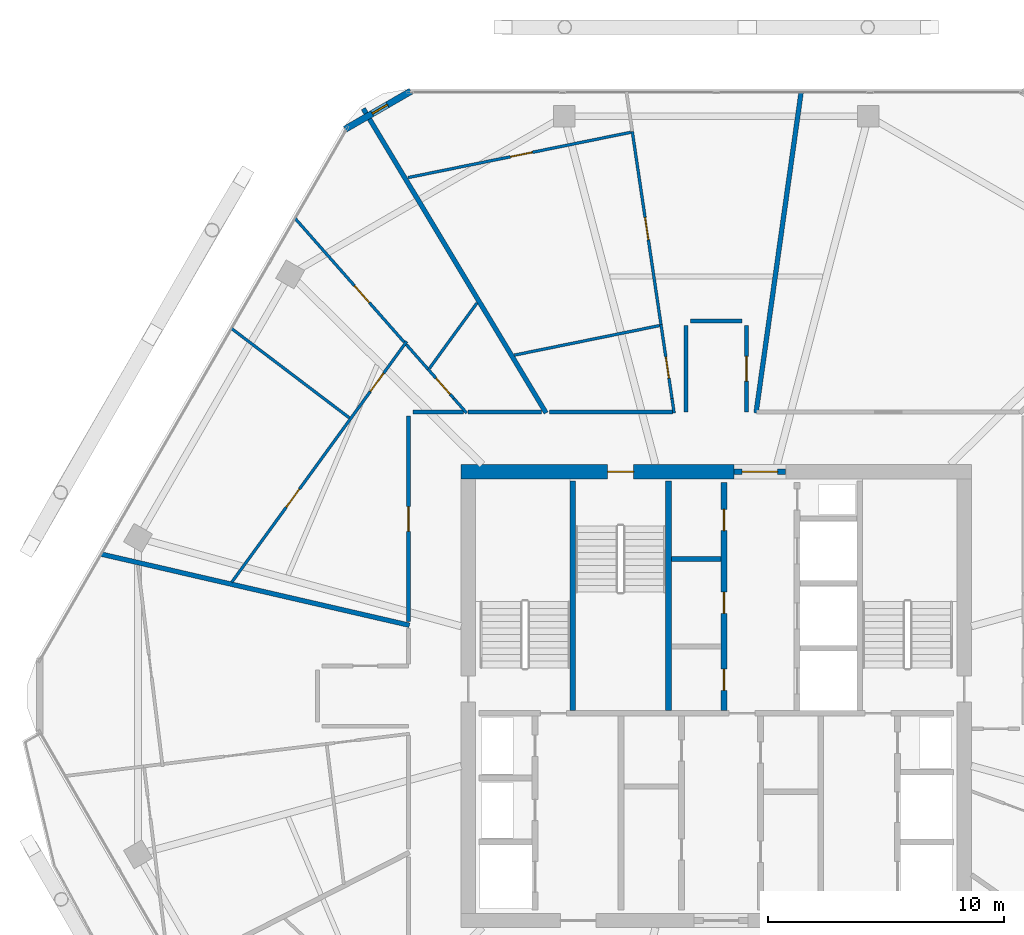
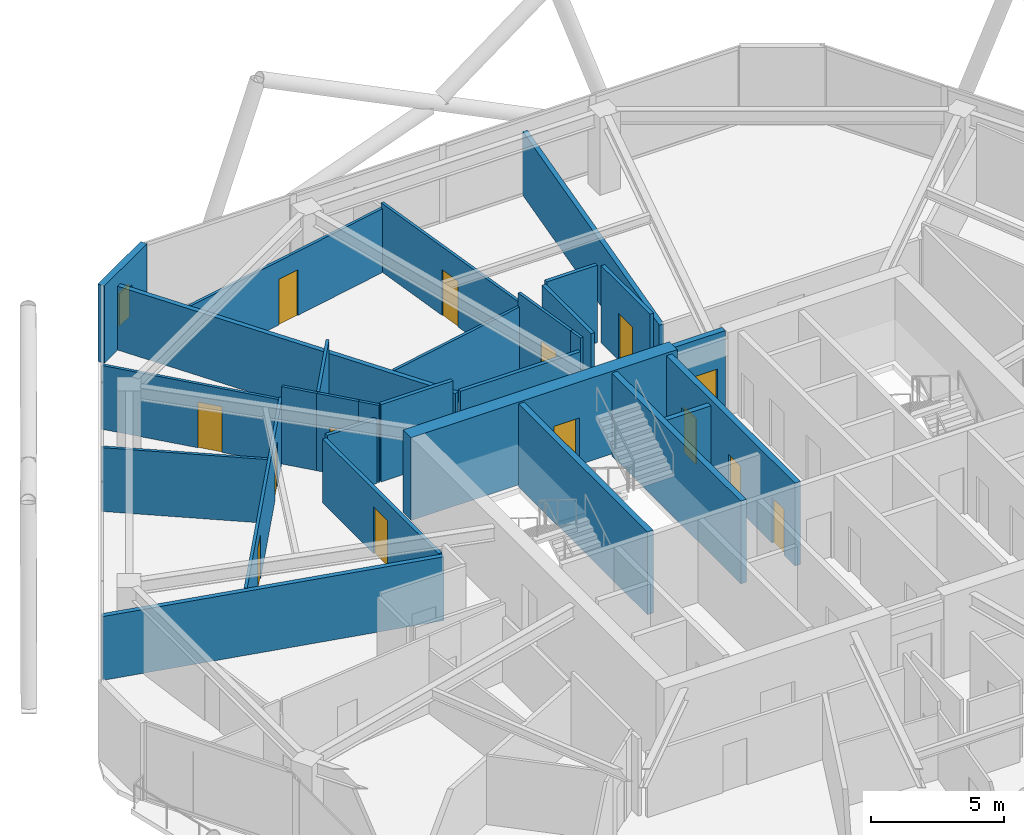
# One storey, part 23 of 27: 29 walls, 14 doors, 1 window, 15 openings.
"""IFC4 building model written with IfcOpenShell, lengths in metres."""

from ifc_helpers import new_model, si_unit, direction, frame, frame_2d, origin, place, context, subcontext, project, spatial, rectangle, extrude, material, layer, layer_set, type_object, element, fill, save


model = new_model("IFC4")

# Units and contexts
model_context = context("Model", 3, precision=1e-05, world=origin(), true_north=direction((0.0, 1.0)))
body_context = subcontext(model_context, "Body", "Model", "MODEL_VIEW")
ifc_project = project(units=[si_unit("LENGTHUNIT", "METRE"), si_unit("AREAUNIT", "SQUARE_METRE"), si_unit("VOLUMEUNIT", "CUBIC_METRE"), si_unit("PLANEANGLEUNIT", "RADIAN"), si_unit("MASSUNIT", "GRAM", prefix="KILO")], contexts=[model_context])

# Site, building, storey
site_placement = place(None, origin())
site = spatial("IfcSite", under=ifc_project, at=site_placement, CompositionType="ELEMENT")
building_placement = place(site_placement, origin())
building = spatial("IfcBuilding", under=site, at=building_placement, Name="Zuhravey Tower", CompositionType="ELEMENT")
storey_placement = place(building_placement, frame((0.0, 0.0, 261.60009765625)))
storey = spatial("IfcBuildingStorey", under=building, at=storey_placement, Name="L66", CompositionType="ELEMENT", Elevation=261.60009765625)

# Wall, opening, door
ifc_material_1 = material(Name="Concrete C50/60", Category="concrete")
ifc_layer_1 = layer(ifc_material_1, 0.60009765625)
ifc_layer_set_1 = layer_set([ifc_layer_1], Name="Concrete C50/60")
wall_type_1 = type_object("IfcWallType", Name="Core Shear Wall 600", PredefinedType="SHEAR", material=ifc_layer_set_1)
wall_1_placement = place(storey_placement, frame((36.75, 41.5, 0.0), z_axis=(0.0, 0.0, 1.0), x_axis=(-1.0, 0.0, 0.0)))
wall_1 = element("IfcWall", 1, at=wall_1_placement, inside=storey, type_object=wall_type_1, Name="L66 North-West Core Shear Wall CW60", PredefinedType="SHEAR", context=body_context, shape_type="SweptSolid", body=[
    extrude(rectangle(XDim=11.550048828125, YDim=0.60009765625, at=frame_2d((5.77490234375, 0.0))), origin(), (0.0, 0.0, 1.0), 3.7998046875),
])
opening_1_placement = place(wall_1_placement, frame((4.25, 0.0, 0.0)))
opening_1 = element("IfcOpeningElement", 2, at=opening_1_placement, cuts=wall_1, Name="Opening STD1", PredefinedType="OPENING", context=body_context, shape_type="SweptSolid", body=[
    extrude(rectangle(XDim=1.10009765625, YDim=2.14990234375, at=frame_2d((0.550048828125, 1.074951171875))), frame((0.0, 0.31201171875, 0.0), z_axis=(0.0, -1.0, 0.0), x_axis=(1.0, 0.0, 0.0)), (0.0, 0.0, 1.0), 0.6240234375),
])
ifc_material_2 = material(Name="Galvanised fire-rated steel leaf", Category="steel")
door_type_1 = type_object("IfcDoorType", Name="Protected Stair Fire Door 1100x2150", OperationType="NOTDEFINED", PredefinedType="USERDEFINED", material=ifc_material_2)
door_1_placement = place(opening_1_placement, origin())
door_1 = element("IfcDoor", 3, at=door_1_placement, inside=storey, type_object=door_type_1, Name="L66 Stair ST3 Door", ObjectType="EXITDOOR", OperationType="SINGLE_SWING_LEFT", OverallHeight=2.14990234375, OverallWidth=1.10009765625, PredefinedType="USERDEFINED", context=body_context, shape_type="SweptSolid", body=[
    extrude(rectangle(XDim=1.10009765625, YDim=2.14990234375, at=frame_2d((0.550048828125, 1.074951171875))), frame((0.0, 0.02490234375, 0.0), z_axis=(0.0, -1.0, 0.0), x_axis=(1.0, 0.0, 0.0)), (0.0, 0.0, 1.0), 0.050048828125),
])
fill(opening_1, door_1)

ifc_material_3 = material(Name="Gypsum fire-rated stud partition")
ifc_layer_2 = layer(ifc_material_3, 0.159912109375)
ifc_layer_set_2 = layer_set([ifc_layer_2], Name="Gypsum fire-rated stud partition")
wall_type_2 = type_object("IfcWallType", Name="Corridor Fire Partition 160", PredefinedType="PARTITIONING", material=ifc_layer_set_2)
wall_2_placement = place(storey_placement, frame((22.969970703125, 43.85009765625, 0.0), z_axis=(0.0, 0.0, 1.0), x_axis=(0.0, -1.0, 0.0)))
wall_2 = element("IfcWall", 4, at=wall_2_placement, inside=storey, type_object=wall_type_2, Name="L66 IW16 Partition 024", PredefinedType="PARTITIONING", context=body_context, shape_type="SweptSolid", body=[
    extrude(rectangle(XDim=8.701416015625, YDim=0.159912109375, at=frame_2d((4.3505859375, 0.0))), origin(), (0.0, 0.0, 1.0), 2.949951171875),
])
opening_2_placement = place(wall_2_placement, frame((3.82568359375, 0.0, 0.0)))
opening_2 = element("IfcOpeningElement", 5, at=opening_2_placement, cuts=wall_2, Name="Opening APD1", PredefinedType="OPENING", context=body_context, shape_type="SweptSolid", body=[
    extrude(rectangle(XDim=1.050048828125, YDim=2.14990234375, at=frame_2d((0.52490234375, 1.074951171875))), frame((0.0, 0.092041015625, 0.0), z_axis=(0.0, -1.0, 0.0), x_axis=(1.0, 0.0, 0.0)), (0.0, 0.0, 1.0), 0.183837890625),
])
ifc_material_4 = material(Name="Solid-core oak fire-rated leaf")
door_type_2 = type_object("IfcDoorType", Name="Apartment Entrance Fire Door 1050x2150", OperationType="NOTDEFINED", PredefinedType="DOOR", material=ifc_material_4)
door_2_placement = place(opening_2_placement, frame((1.050048828125, 0.0, 0.0), z_axis=(0.0, 0.0, 1.0), x_axis=(-1.0, 0.0, 0.0)))
door_2 = element("IfcDoor", 6, at=door_2_placement, inside=storey, type_object=door_type_2, Name="L66 Door 024.1", OperationType="SINGLE_SWING_RIGHT", OverallHeight=2.14990234375, OverallWidth=1.050048828125, PredefinedType="DOOR", context=body_context, shape_type="SweptSolid", body=[
    extrude(rectangle(XDim=1.050048828125, YDim=2.14990234375, at=frame_2d((0.52490234375, 1.074951171875))), frame((0.0, 0.02490234375, 0.0), z_axis=(0.0, -1.0, 0.0), x_axis=(1.0, 0.0, 0.0)), (0.0, 0.0, 1.0), 0.050048828125),
])
fill(opening_2, door_2)

wall_3_placement = place(storey_placement, frame((37.280029296875, 44.030029296875, 0.0), z_axis=(0.0, 0.0, 1.0), x_axis=(0.0, 1.0, 0.0)))
wall_3 = element("IfcWall", 7, at=wall_3_placement, inside=storey, type_object=wall_type_2, Name="L66 IW16 Partition 060", PredefinedType="PARTITIONING", context=body_context, shape_type="SweptSolid", body=[
    extrude(rectangle(XDim=3.669921875, YDim=0.159912109375, at=frame_2d((1.8349609375, 0.0))), origin(), (0.0, 0.0, 1.0), 3.5498046875),
])
opening_3_placement = place(wall_3_placement, frame((1.31005859375, 0.0, 0.0)))
opening_3 = element("IfcOpeningElement", 8, at=opening_3_placement, cuts=wall_3, Name="Opening APD1", PredefinedType="OPENING", context=body_context, shape_type="SweptSolid", body=[
    extrude(rectangle(XDim=1.050048828125, YDim=2.14990234375, at=frame_2d((0.52490234375, 1.074951171875))), frame((0.0, 0.092041015625, 0.0), z_axis=(0.0, -1.0, 0.0), x_axis=(1.0, 0.0, 0.0)), (0.0, 0.0, 1.0), 0.183837890625),
])
door_3_placement = place(opening_3_placement, origin())
door_3 = element("IfcDoor", 9, at=door_3_placement, inside=storey, type_object=door_type_2, Name="L66 Door 060.1", OperationType="SINGLE_SWING_LEFT", OverallHeight=2.14990234375, OverallWidth=1.050048828125, PredefinedType="DOOR", context=body_context, shape_type="SweptSolid", body=[
    extrude(rectangle(XDim=1.050048828125, YDim=2.14990234375, at=frame_2d((0.52490234375, 1.074951171875))), frame((0.0, 0.02490234375, 0.0), z_axis=(0.0, -1.0, 0.0), x_axis=(1.0, 0.0, 0.0)), (0.0, 0.0, 1.0), 0.050048828125),
])
fill(opening_3, door_3)

# Walls
wall_4_placement = place(storey_placement, frame((25.303466796875, 44.030029296875, 0.0), z_axis=(0.0, 0.0, 1.0), x_axis=(-1.0, 0.0, 0.0)))
element("IfcWall", 10, at=wall_4_placement, inside=storey, type_object=wall_type_2, Name="L66 IW16 Partition 103", PredefinedType="PARTITIONING", context=body_context, shape_type="SweptSolid", body=[
    extrude(rectangle(XDim=2.153564453125, YDim=0.159912109375, at=frame_2d((1.07666015625, 0.0))), origin(), (0.0, 0.0, 1.0), 2.949951171875),
])
wall_5_placement = place(storey_placement, frame((28.6044921875, 44.030029296875, 0.0), z_axis=(0.0, 0.0, 1.0), x_axis=(-1.0, 0.0, 0.0)))
element("IfcWall", 11, at=wall_5_placement, inside=storey, type_object=wall_type_2, Name="L66 IW16 Partition 104", PredefinedType="PARTITIONING", context=body_context, shape_type="SweptSolid", body=[
    extrude(rectangle(XDim=3.11962890625, YDim=0.159912109375, at=frame_2d((1.559814453125, 0.0))), origin(), (0.0, 0.0, 1.0), 3.5498046875),
])
wall_6_placement = place(storey_placement, frame((34.719970703125, 47.699951171875, 0.0), z_axis=(0.0, 0.0, 1.0), x_axis=(0.0, -1.0, 0.0)))
element("IfcWall", 12, at=wall_6_placement, inside=storey, type_object=wall_type_2, Name="L66 IW16 Partition 120", PredefinedType="PARTITIONING", context=body_context, shape_type="SweptSolid", body=[
    extrude(rectangle(XDim=3.669921875, YDim=0.159912109375, at=frame_2d((1.8349609375, 0.0))), origin(), (0.0, 0.0, 1.0), 3.5498046875),
])
wall_7_placement = place(storey_placement, frame((37.10009765625, 47.8798828125, 0.0), z_axis=(0.0, 0.0, 1.0), x_axis=(-1.0, 0.0, 0.0)))
element("IfcWall", 13, at=wall_7_placement, inside=storey, type_object=wall_type_2, Name="L66 IW16 Partition 121", PredefinedType="PARTITIONING", context=body_context, shape_type="SweptSolid", body=[
    extrude(rectangle(XDim=2.2001953125, YDim=0.159912109375, at=frame_2d((1.10009765625, 0.0))), origin(), (0.0, 0.0, 1.0), 3.5498046875),
])
wall_8_placement = place(storey_placement, frame((34.141845703125, 44.030029296875, 0.0), z_axis=(0.0, 0.0, 1.0), x_axis=(-1.0, 0.0, 0.0)))
element("IfcWall", 14, at=wall_8_placement, inside=storey, type_object=wall_type_2, Name="L66 IW16 Partition 122", PredefinedType="PARTITIONING", context=body_context, shape_type="SweptSolid", body=[
    extrude(rectangle(XDim=5.204833984375, YDim=0.159912109375, at=frame_2d((2.6025390625, 0.0))), origin(), (0.0, 0.0, 1.0), 2.949951171875),
])

# Wall, opening, window
ifc_material_5 = material(Name="Precast concrete C40/50", Category="concrete")
ifc_layer_3 = layer(ifc_material_5, 0.280029296875)
ifc_layer_set_3 = layer_set([ifc_layer_3], Name="Precast concrete C40/50")
wall_type_3 = type_object("IfcWallType", Name="Crown Architectural Wall 280", PredefinedType="SOLIDWALL", material=ifc_layer_set_3)
wall_9_placement = place(storey_placement, frame((20.285400390625, 56.003662109375, 0.0), z_axis=(0.0, 0.0, 1.0), x_axis=(0.866028773314, 0.499994163758, 0.0)))
wall_9 = element("IfcWall", 15, at=wall_9_placement, inside=storey, type_object=wall_type_3, Name="L66 Rounded Corner Closure Wall EW28-08", PredefinedType="SOLIDWALL", context=body_context, shape_type="SweptSolid", body=[
    extrude(rectangle(XDim=3.21484375, YDim=0.280029296875, at=frame_2d((1.607421875, 0.0))), origin(), (0.0, 0.0, 1.0), 3.5498046875),
])
opening_4_placement = place(wall_9_placement, frame((1.324462890625, 0.0, 0.85009765625)))
opening_4 = element("IfcOpeningElement", 16, at=opening_4_placement, cuts=wall_9, Name="Opening WN5", PredefinedType="OPENING", context=body_context, shape_type="SweptSolid", body=[
    extrude(rectangle(XDim=0.75, YDim=1.5, at=frame_2d((0.375, 0.75))), frame((0.0, 0.152099609375, 0.0), z_axis=(0.0, -1.0, 0.0), x_axis=(1.0, 0.0, 0.0)), (0.0, 0.0, 1.0), 0.303955078125),
])
ifc_material_6 = material(Name="Thermally broken aluminium and triple low-E glass", Category="aluminium")
window_type = type_object("IfcWindowType", Name="Residential Corner Casement Window 750x1500", PartitioningType="SINGLE_PANEL", PredefinedType="WINDOW", material=ifc_material_6)
window_placement = place(opening_4_placement, origin())
window = element("IfcWindow", 17, at=window_placement, inside=storey, type_object=window_type, Name="L66 Corner Casement Window WN5-08.1", OverallHeight=1.5, OverallWidth=0.75, PartitioningType="SINGLE_PANEL", PredefinedType="WINDOW", context=body_context, shape_type="SweptSolid", body=[
    extrude(rectangle(XDim=0.75, YDim=1.5, at=frame_2d((0.375, 0.75))), frame((0.0, 0.030029296875, 0.0), z_axis=(0.0, -1.0, 0.0), x_axis=(1.0, 0.0, 0.0)), (0.0, 0.0, 1.0), 0.06005859375),
])
fill(opening_4, window)

# Wall, opening, door
ifc_layer_4 = layer(ifc_material_1, 0.25)
ifc_layer_set_4 = layer_set([ifc_layer_4], Name="Concrete C50/60")
wall_type_4 = type_object("IfcWallType", Name="Firefighting Shaft & Stair Wall 250", PredefinedType="SOLIDWALL", material=ifc_layer_set_4)
wall_10_placement = place(storey_placement, frame((36.760009765625, 41.5, 0.0), z_axis=(0.0, 0.0, 1.0), x_axis=(1.0, 0.0, 0.0)))
wall_10 = element("IfcWall", 18, at=wall_10_placement, inside=storey, type_object=wall_type_4, Name="L66 FW25 Shaft Wall 002", PredefinedType="SOLIDWALL", context=body_context, shape_type="SweptSolid", body=[
    extrude(rectangle(XDim=2.179931640625, YDim=0.25, at=frame_2d((1.08984375, 0.0))), origin(), (0.0, 0.0, 1.0), 3.7998046875),
])
opening_5_placement = place(wall_10_placement, frame((0.340087890625, 0.0, 0.0)))
opening_5 = element("IfcOpeningElement", 19, at=opening_5_placement, cuts=wall_10, Name="Opening FFD1", PredefinedType="OPENING", context=body_context, shape_type="SweptSolid", body=[
    extrude(rectangle(XDim=1.5, YDim=2.14990234375, at=frame_2d((0.75, 1.074951171875))), frame((0.0, 0.136962890625, 0.0), z_axis=(0.0, -1.0, 0.0), x_axis=(1.0, 0.0, 0.0)), (0.0, 0.0, 1.0), 0.27392578125),
])
door_type_3 = type_object("IfcDoorType", Name="Firefighting Lobby Double Door 1500x2150", OperationType="DOUBLE_DOOR_SINGLE_SWING", PredefinedType="DOOR", material=ifc_material_2)
door_4_placement = place(opening_5_placement, origin())
door_4 = element("IfcDoor", 20, at=door_4_placement, inside=storey, type_object=door_type_3, Name="L66 North Lift Lobby Exit Door", OperationType="DOUBLE_DOOR_SINGLE_SWING", OverallHeight=2.14990234375, OverallWidth=1.5, PredefinedType="DOOR", context=body_context, shape_type="SweptSolid", body=[
    extrude(rectangle(XDim=1.5, YDim=2.14990234375, at=frame_2d((0.75, 1.074951171875))), frame((0.0, 0.02490234375, 0.0), z_axis=(0.0, -1.0, 0.0), x_axis=(1.0, 0.0, 0.0)), (0.0, 0.0, 1.0), 0.050048828125),
])
fill(opening_5, door_4)

# Walls
for number, where, z_axis, x_axis, name in (
    (21, (29.925048828125, 31.39990234375, 0.0), (0.0, 0.0, 1.0), (0.0, 1.0, 0.0), "L66 FW25 Shaft Wall 004"),
    (22, (33.97509765625, 31.39990234375, 0.0), (0.0, 0.0, 1.0), (0.0, 1.0, 0.0), "L66 FW25 Shaft Wall 005"),
):
    element("IfcWall", number, at=place(storey_placement, frame(where, z_axis=z_axis, x_axis=x_axis)), inside=storey, type_object=wall_type_4, Name=name, PredefinedType="SOLIDWALL", context=body_context, shape_type="SweptSolid", body=[
        extrude(rectangle(XDim=9.7001953125, YDim=0.25, at=frame_2d((4.85009765625, 0.0))), origin(), (0.0, 0.0, 1.0), 3.7998046875),
    ])

# Wall, openings, doors
wall_11_placement = place(storey_placement, frame((36.324951171875, 31.39990234375, 0.0), z_axis=(0.0, 0.0, 1.0), x_axis=(0.0, 1.0, 0.0)))
wall_11 = element("IfcWall", 23, at=wall_11_placement, inside=storey, type_object=wall_type_4, Name="L66 FW25 Shaft Wall 007", PredefinedType="SOLIDWALL", context=body_context, shape_type="SweptSolid", body=[
    extrude(rectangle(XDim=9.650146484375, YDim=0.25, at=frame_2d((4.8251953125, 0.0))), origin(), (0.0, 0.0, 1.0), 3.7998046875),
])
opening_6_placement = place(wall_11_placement, frame((0.840087890625, 0.0, 0.0)))
opening_6 = element("IfcOpeningElement", 24, at=opening_6_placement, cuts=wall_11, Name="Opening RSD1", PredefinedType="OPENING", context=body_context, shape_type="SweptSolid", body=[
    extrude(rectangle(XDim=0.89990234375, YDim=2.10009765625, at=frame_2d((0.449951171875, 1.050048828125))), frame((0.0, 0.136962890625, 0.0), z_axis=(0.0, -1.0, 0.0), x_axis=(1.0, 0.0, 0.0)), (0.0, 0.0, 1.0), 0.27392578125),
])
opening_7_placement = place(wall_11_placement, frame((4.10009765625, 0.0, 0.0)))
opening_7 = element("IfcOpeningElement", 25, at=opening_7_placement, cuts=wall_11, Name="Opening RSD1", PredefinedType="OPENING", context=body_context, shape_type="SweptSolid", body=[
    extrude(rectangle(XDim=0.89990234375, YDim=2.10009765625, at=frame_2d((0.449951171875, 1.050048828125))), frame((0.0, 0.136962890625, 0.0), z_axis=(0.0, -1.0, 0.0), x_axis=(1.0, 0.0, 0.0)), (0.0, 0.0, 1.0), 0.27392578125),
])
opening_8_placement = place(wall_11_placement, frame((7.610107421875, 0.0, 0.0)))
opening_8 = element("IfcOpeningElement", 26, at=opening_8_placement, cuts=wall_11, Name="Opening RSD1", PredefinedType="OPENING", context=body_context, shape_type="SweptSolid", body=[
    extrude(rectangle(XDim=0.89990234375, YDim=2.10009765625, at=frame_2d((0.449951171875, 1.050048828125))), frame((0.0, 0.136962890625, 0.0), z_axis=(0.0, -1.0, 0.0), x_axis=(1.0, 0.0, 0.0)), (0.0, 0.0, 1.0), 0.27392578125),
])
ifc_material_7 = material(Name="Galvanised fire-rated steel access leaf", Category="steel")
door_type_4 = type_object("IfcDoorType", Name="Riser & Shaft Access Fire Door 900x2100", OperationType="NOTDEFINED", PredefinedType="DOOR", material=ifc_material_7)
door_5_placement = place(opening_6_placement, origin())
door_5 = element("IfcDoor", 27, at=door_5_placement, inside=storey, type_object=door_type_4, Name="L66 Core Staff WC Door", OperationType="SINGLE_SWING_LEFT", OverallHeight=2.10009765625, OverallWidth=0.89990234375, PredefinedType="DOOR", context=body_context, shape_type="SweptSolid", body=[
    extrude(rectangle(XDim=0.89990234375, YDim=2.10009765625, at=frame_2d((0.449951171875, 1.050048828125))), frame((0.0, 0.02490234375, 0.0), z_axis=(0.0, -1.0, 0.0), x_axis=(1.0, 0.0, 0.0)), (0.0, 0.0, 1.0), 0.050048828125),
])
fill(opening_6, door_5)
door_6_placement = place(opening_7_placement, origin())
door_6 = element("IfcDoor", 28, at=door_6_placement, inside=storey, type_object=door_type_4, Name="L66 IT and Comms Room Door", OperationType="SINGLE_SWING_RIGHT", OverallHeight=2.10009765625, OverallWidth=0.89990234375, PredefinedType="DOOR", context=body_context, shape_type="SweptSolid", body=[
    extrude(rectangle(XDim=0.89990234375, YDim=2.10009765625, at=frame_2d((0.449951171875, 1.050048828125))), frame((0.0, 0.02490234375, 0.0), z_axis=(0.0, -1.0, 0.0), x_axis=(1.0, 0.0, 0.0)), (0.0, 0.0, 1.0), 0.050048828125),
])
fill(opening_7, door_6)
door_7_placement = place(opening_8_placement, origin())
door_7 = element("IfcDoor", 29, at=door_7_placement, inside=storey, type_object=door_type_4, Name="L66 Janitor Linen Store Door", OperationType="SINGLE_SWING_LEFT", OverallHeight=2.10009765625, OverallWidth=0.89990234375, PredefinedType="DOOR", context=body_context, shape_type="SweptSolid", body=[
    extrude(rectangle(XDim=0.89990234375, YDim=2.10009765625, at=frame_2d((0.449951171875, 1.050048828125))), frame((0.0, 0.02490234375, 0.0), z_axis=(0.0, -1.0, 0.0), x_axis=(1.0, 0.0, 0.0)), (0.0, 0.0, 1.0), 0.050048828125),
])
fill(opening_8, door_7)

# Walls
ifc_material_8 = material(Name="Gypsum double-stud party assembly")
ifc_layer_5 = layer(ifc_material_8, 0.199951171875)
ifc_layer_set_5 = layer_set([ifc_layer_5], Name="Gypsum double-stud party assembly")
wall_type_5 = type_object("IfcWallType", Name="Inter-Tenancy Party Wall 200", PredefinedType="PARTITIONING", material=ifc_layer_set_5)
wall_12_placement = place(storey_placement, frame((28.795654296875, 43.989990234375, 0.0), z_axis=(0.0, 0.0, 1.0), x_axis=(-0.515040294727, 0.857165966898, 0.0)))
element("IfcWall", 30, at=wall_12_placement, inside=storey, type_object=wall_type_5, Name="L66 IW20 Partition 067", PredefinedType="PARTITIONING", context=body_context, shape_type="SweptSolid", body=[
    extrude(rectangle(XDim=15.02978515625, YDim=0.199951171875, at=frame_2d((7.514892578125, 0.0))), origin(), (0.0, 0.0, 1.0), 2.929931640625),
])
wall_13_placement = place(storey_placement, frame((23.010009765625, 34.9990234375, 0.0), z_axis=(0.0, 0.0, 1.0), x_axis=(-0.974372460803, 0.224940675799, 0.0)))
element("IfcWall", 31, at=wall_13_placement, inside=storey, type_object=wall_type_5, Name="L66 IW20 Partition 071", PredefinedType="PARTITIONING", context=body_context, shape_type="SweptSolid", body=[
    extrude(rectangle(XDim=13.39990234375, YDim=0.199951171875, at=frame_2d((6.699951171875, 0.0))), origin(), (0.0, 0.0, 1.0), 2.929931640625),
])
wall_14_placement = place(storey_placement, frame((37.68505859375, 43.989990234375, 0.0), z_axis=(0.0, 0.0, 1.0), x_axis=(0.139176780606, 0.990267551594, 0.0)))
element("IfcWall", 32, at=wall_14_placement, inside=storey, type_object=wall_type_5, Name="L66 IW20 Partition 099", PredefinedType="PARTITIONING", context=body_context, shape_type="SweptSolid", body=[
    extrude(rectangle(XDim=13.70703125, YDim=0.199951171875, at=frame_2d((6.853515625, 0.0))), origin(), (0.0, 0.0, 1.0), 2.929931640625),
])
ifc_material_9 = material(Name="Gypsum acoustic stud assembly")
ifc_layer_6 = layer(ifc_material_9, 0.219970703125)
ifc_layer_set_6 = layer_set([ifc_layer_6], Name="Gypsum acoustic stud assembly")
wall_type_6 = type_object("IfcWallType", Name="School Acoustic Compartment Wall 220", PredefinedType="PARTITIONING", material=ifc_layer_set_6)
wall_15_placement = place(storey_placement, frame((34.10791015625, 37.800048828125, 0.0), z_axis=(0.0, 0.0, 1.0), x_axis=(1.0, 0.0, 0.0)))
element("IfcWall", 33, at=wall_15_placement, inside=storey, type_object=wall_type_6, Name="L66 IW22 Partition 062", PredefinedType="PARTITIONING", context=body_context, shape_type="SweptSolid", body=[
    extrude(rectangle(XDim=2.083984375, YDim=0.219970703125, at=frame_2d((1.0419921875, 0.0))), origin(), (0.0, 0.0, 1.0), 3.5498046875),
])

# Wall, openings, doors
ifc_material_10 = material(Name="Gypsum metal-stud partition")
ifc_layer_7 = layer(ifc_material_10, 0.1201171875)
ifc_layer_set_7 = layer_set([ifc_layer_7], Name="Gypsum metal-stud partition")
wall_type_7 = type_object("IfcWallType", Name="Unit Internal Partition 120", PredefinedType="PARTITIONING", material=ifc_layer_set_7)
wall_16_placement = place(storey_placement, frame((22.892822265625, 47.018310546875, 0.0), z_axis=(0.0, 0.0, 1.0), x_axis=(-0.587777700705, -0.80902248087, 0.0)))
wall_16 = element("IfcWall", 34, at=wall_16_placement, inside=storey, type_object=wall_type_7, Name="L66 IW12 Partition 020", PredefinedType="PARTITIONING", context=body_context, shape_type="SweptSolid", body=[
    extrude(rectangle(XDim=12.60302734375, YDim=0.1201171875, at=frame_2d((6.301513671875, 0.0))), origin(), (0.0, 0.0, 1.0), 2.949951171875),
])
opening_9_placement = place(wall_16_placement, frame((1.66845703125, 0.0, 0.0)))
opening_9 = element("IfcOpeningElement", 35, at=opening_9_placement, cuts=wall_16, Name="Opening IND1", PredefinedType="OPENING", context=body_context, shape_type="SweptSolid", body=[
    extrude(rectangle(XDim=0.949951171875, YDim=2.10009765625, at=frame_2d((0.47509765625, 1.050048828125))), frame((0.0, 0.072021484375, 0.0), z_axis=(0.0, -1.0, 0.0), x_axis=(1.0, 0.0, 0.0)), (0.0, 0.0, 1.0), 0.14404296875),
])
opening_10_placement = place(wall_16_placement, frame((7.72998046875, 0.0, 0.0)))
opening_10 = element("IfcOpeningElement", 36, at=opening_10_placement, cuts=wall_16, Name="Opening IND1", PredefinedType="OPENING", context=body_context, shape_type="SweptSolid", body=[
    extrude(rectangle(XDim=0.949951171875, YDim=2.10009765625, at=frame_2d((0.47509765625, 1.050048828125))), frame((0.0, 0.072021484375, 0.0), z_axis=(0.0, -1.0, 0.0), x_axis=(1.0, 0.0, 0.0)), (0.0, 0.0, 1.0), 0.14404296875),
])
ifc_material_11 = material(Name="Painted engineered timber leaf", Category="wood")
door_type_5 = type_object("IfcDoorType", Name="Internal Room & Bedroom Door 950x2100", OperationType="NOTDEFINED", PredefinedType="DOOR", material=ifc_material_11)
door_8_placement = place(opening_9_placement, frame((0.949951171875, 0.0, 0.0), z_axis=(0.0, 0.0, 1.0), x_axis=(-1.0, 0.0, 0.0)))
door_8 = element("IfcDoor", 37, at=door_8_placement, inside=storey, type_object=door_type_5, Name="Apartment L66-01 Family Study Door", OperationType="SINGLE_SWING_RIGHT", OverallHeight=2.10009765625, OverallWidth=0.949951171875, PredefinedType="DOOR", context=body_context, shape_type="SweptSolid", body=[
    extrude(rectangle(XDim=0.949951171875, YDim=2.10009765625, at=frame_2d((0.47509765625, 1.050048828125))), frame((0.0, 0.02490234375, 0.0), z_axis=(0.0, -1.0, 0.0), x_axis=(1.0, 0.0, 0.0)), (0.0, 0.0, 1.0), 0.050048828125),
])
fill(opening_9, door_8)
door_9_placement = place(opening_10_placement, frame((0.949951171875, 0.0, 0.0), z_axis=(0.0, 0.0, 1.0), x_axis=(-1.0, 0.0, 0.0)))
door_9 = element("IfcDoor", 38, at=door_9_placement, inside=storey, type_object=door_type_5, Name="Apartment L66-01 Dining Room Door", OperationType="SINGLE_SWING_LEFT", OverallHeight=2.10009765625, OverallWidth=0.949951171875, PredefinedType="DOOR", context=body_context, shape_type="SweptSolid", body=[
    extrude(rectangle(XDim=0.949951171875, YDim=2.10009765625, at=frame_2d((0.47509765625, 1.050048828125))), frame((0.0, 0.02490234375, 0.0), z_axis=(0.0, -1.0, 0.0), x_axis=(1.0, 0.0, 0.0)), (0.0, 0.0, 1.0), 0.050048828125),
])
fill(opening_10, door_9)

# Wall, opening, door
wall_17_placement = place(storey_placement, frame((24.8916015625, 44.60009765625, 0.0), z_axis=(0.0, 0.0, 1.0), x_axis=(-0.661313728026, 0.750109427433, 0.0)))
wall_17 = element("IfcWall", 39, at=wall_17_placement, inside=storey, type_object=wall_type_7, Name="L66 IW12 Partition 021", PredefinedType="PARTITIONING", context=body_context, shape_type="SweptSolid", body=[
    extrude(rectangle(XDim=1.65234375, YDim=0.1201171875, at=frame_2d((0.826171875, 0.0))), origin(), (0.0, 0.0, 1.0), 3.5498046875),
])
opening_11_placement = place(wall_17_placement, frame((0.244140625, 0.0, 0.0)))
opening_11 = element("IfcOpeningElement", 40, at=opening_11_placement, cuts=wall_17, Name="Opening WCD1", PredefinedType="OPENING", context=body_context, shape_type="SweptSolid", body=[
    extrude(rectangle(XDim=0.89990234375, YDim=2.10009765625, at=frame_2d((0.449951171875, 1.050048828125))), frame((0.0, 0.072021484375, 0.0), z_axis=(0.0, -1.0, 0.0), x_axis=(1.0, 0.0, 0.0)), (0.0, 0.0, 1.0), 0.14404296875),
])
ifc_material_12 = material(Name="Moisture-resistant timber leaf", Category="wood")
door_type_6 = type_object("IfcDoorType", Name="Bathroom & WC Internal Door 900x2100", OperationType="NOTDEFINED", PredefinedType="DOOR", material=ifc_material_12)
door_10_placement = place(opening_11_placement, frame((0.89990234375, 0.0, 0.0), z_axis=(0.0, 0.0, 1.0), x_axis=(-1.0, 0.0, 0.0)))
door_10 = element("IfcDoor", 41, at=door_10_placement, inside=storey, type_object=door_type_6, Name="Apartment L66-01 Bathroom Door", OperationType="SINGLE_SWING_RIGHT", OverallHeight=2.10009765625, OverallWidth=0.89990234375, PredefinedType="DOOR", context=body_context, shape_type="SweptSolid", body=[
    extrude(rectangle(XDim=0.89990234375, YDim=2.10009765625, at=frame_2d((0.449951171875, 1.050048828125))), frame((0.0, 0.02490234375, 0.0), z_axis=(0.0, -1.0, 0.0), x_axis=(1.0, 0.0, 0.0)), (0.0, 0.0, 1.0), 0.050048828125),
])
fill(opening_11, door_10)

# Wall
wall_18_placement = place(storey_placement, frame((23.798583984375, 45.839599609375, 0.0), z_axis=(0.0, 0.0, 1.0), x_axis=(-0.661308126209, 0.750114366087, 0.0)))
element("IfcWall", 42, at=wall_18_placement, inside=storey, type_object=wall_type_7, Name="L66 IW12 Partition 022", PredefinedType="PARTITIONING", context=body_context, shape_type="SweptSolid", body=[
    extrude(rectangle(XDim=1.39111328125, YDim=0.1201171875, at=frame_2d((0.695556640625, 0.0))), origin(), (0.0, 0.0, 1.0), 3.5498046875),
])

# Wall, opening, door
wall_19_placement = place(storey_placement, frame((22.78662109375, 46.987548828125, 0.0), z_axis=(0.0, 0.0, 1.0), x_axis=(-0.661313472819, 0.750109652429, 0.0)))
wall_19 = element("IfcWall", 43, at=wall_19_placement, inside=storey, type_object=wall_type_7, Name="L66 IW12 Partition 023", PredefinedType="PARTITIONING", context=body_context, shape_type="SweptSolid", body=[
    extrude(rectangle(XDim=6.997314453125, YDim=0.1201171875, at=frame_2d((3.49853515625, 0.0))), origin(), (0.0, 0.0, 1.0), 2.929931640625),
])
opening_12_placement = place(wall_19_placement, frame((2.23291015625, 0.0, 0.0)))
opening_12 = element("IfcOpeningElement", 44, at=opening_12_placement, cuts=wall_19, Name="Opening IND1", PredefinedType="OPENING", context=body_context, shape_type="SweptSolid", body=[
    extrude(rectangle(XDim=0.949951171875, YDim=2.10009765625, at=frame_2d((0.47509765625, 1.050048828125))), frame((0.0, 0.072021484375, 0.0), z_axis=(0.0, -1.0, 0.0), x_axis=(1.0, 0.0, 0.0)), (0.0, 0.0, 1.0), 0.14404296875),
])
door_11_placement = place(opening_12_placement, frame((0.949951171875, 0.0, 0.0), z_axis=(0.0, 0.0, 1.0), x_axis=(-1.0, 0.0, 0.0)))
door_11 = element("IfcDoor", 45, at=door_11_placement, inside=storey, type_object=door_type_5, Name="Apartment L66-01 Bedroom 1 Door", OperationType="SINGLE_SWING_LEFT", OverallHeight=2.10009765625, OverallWidth=0.949951171875, PredefinedType="DOOR", context=body_context, shape_type="SweptSolid", body=[
    extrude(rectangle(XDim=0.949951171875, YDim=2.10009765625, at=frame_2d((0.47509765625, 1.050048828125))), frame((0.0, 0.02490234375, 0.0), z_axis=(0.0, -1.0, 0.0), x_axis=(1.0, 0.0, 0.0)), (0.0, 0.0, 1.0), 0.050048828125),
])
fill(opening_12, door_11)

wall_20_placement = place(storey_placement, frame((34.1259765625, 44.60009765625, 0.0), z_axis=(0.0, 0.0, 1.0), x_axis=(-0.147116797121, 0.989119127307, 0.0)))
wall_20 = element("IfcWall", 46, at=wall_20_placement, inside=storey, type_object=wall_type_7, Name="L66 IW12 Partition 057", PredefinedType="PARTITIONING", context=body_context, shape_type="SweptSolid", body=[
    extrude(rectangle(XDim=3.161376953125, YDim=0.1201171875, at=frame_2d((1.58056640625, 0.0))), origin(), (0.0, 0.0, 1.0), 3.5498046875),
])
opening_13_placement = place(wall_20_placement, frame((0.877685546875, 0.0, 0.0)))
opening_13 = element("IfcOpeningElement", 47, at=opening_13_placement, cuts=wall_20, Name="Opening WCD1", PredefinedType="OPENING", context=body_context, shape_type="SweptSolid", body=[
    extrude(rectangle(XDim=0.89990234375, YDim=2.10009765625, at=frame_2d((0.449951171875, 1.050048828125))), frame((0.0, 0.072021484375, 0.0), z_axis=(0.0, -1.0, 0.0), x_axis=(1.0, 0.0, 0.0)), (0.0, 0.0, 1.0), 0.14404296875),
])
door_12_placement = place(opening_13_placement, origin())
door_12 = element("IfcDoor", 48, at=door_12_placement, inside=storey, type_object=door_type_6, Name="Apartment L66-09 Bathroom Door", OperationType="SINGLE_SWING_RIGHT", OverallHeight=2.10009765625, OverallWidth=0.89990234375, PredefinedType="DOOR", context=body_context, shape_type="SweptSolid", body=[
    extrude(rectangle(XDim=0.89990234375, YDim=2.10009765625, at=frame_2d((0.449951171875, 1.050048828125))), frame((0.0, 0.02490234375, 0.0), z_axis=(0.0, -1.0, 0.0), x_axis=(1.0, 0.0, 0.0)), (0.0, 0.0, 1.0), 0.050048828125),
])
fill(opening_13, door_12)

wall_21_placement = place(storey_placement, frame((33.660888671875, 47.72705078125, 0.0), z_axis=(0.0, 0.0, 1.0), x_axis=(-0.14711109058, 0.989119976054, 0.0)))
wall_21 = element("IfcWall", 49, at=wall_21_placement, inside=storey, type_object=wall_type_7, Name="L66 IW12 Partition 058", PredefinedType="PARTITIONING", context=body_context, shape_type="SweptSolid", body=[
    extrude(rectangle(XDim=8.274658203125, YDim=0.1201171875, at=frame_2d((4.13720703125, 0.0))), origin(), (0.0, 0.0, 1.0), 3.14990234375),
])
opening_14_placement = place(wall_21_placement, frame((3.63720703125, 0.0, 0.0)))
opening_14 = element("IfcOpeningElement", 50, at=opening_14_placement, cuts=wall_21, Name="Opening IND1", PredefinedType="OPENING", context=body_context, shape_type="SweptSolid", body=[
    extrude(rectangle(XDim=0.949951171875, YDim=2.10009765625, at=frame_2d((0.47509765625, 1.050048828125))), frame((0.0, 0.072021484375, 0.0), z_axis=(0.0, -1.0, 0.0), x_axis=(1.0, 0.0, 0.0)), (0.0, 0.0, 1.0), 0.14404296875),
])
door_13_placement = place(opening_14_placement, origin())
door_13 = element("IfcDoor", 51, at=door_13_placement, inside=storey, type_object=door_type_5, Name="Apartment L66-09 Home Office Door", OperationType="SINGLE_SWING_LEFT", OverallHeight=2.10009765625, OverallWidth=0.949951171875, PredefinedType="DOOR", context=body_context, shape_type="SweptSolid", body=[
    extrude(rectangle(XDim=0.949951171875, YDim=2.10009765625, at=frame_2d((0.47509765625, 1.050048828125))), frame((0.0, 0.02490234375, 0.0), z_axis=(0.0, -1.0, 0.0), x_axis=(1.0, 0.0, 0.0)), (0.0, 0.0, 1.0), 0.050048828125),
])
fill(opening_14, door_13)

wall_22_placement = place(storey_placement, frame((32.380615234375, 55.873291015625, 0.0), z_axis=(0.0, 0.0, 1.0), x_axis=(-0.979928346311, -0.199350034099, 0.0)))
wall_22 = element("IfcWall", 52, at=wall_22_placement, inside=storey, type_object=wall_type_7, Name="L66 IW12 Partition 059", PredefinedType="PARTITIONING", context=body_context, shape_type="SweptSolid", body=[
    extrude(rectangle(XDim=9.622314453125, YDim=0.1201171875, at=frame_2d((4.81103515625, 0.0))), origin(), (0.0, 0.0, 1.0), 2.929931640625),
])
opening_15_placement = place(wall_22_placement, frame((4.251953125, 0.0, 0.0)))
opening_15 = element("IfcOpeningElement", 53, at=opening_15_placement, cuts=wall_22, Name="Opening IND1", PredefinedType="OPENING", context=body_context, shape_type="SweptSolid", body=[
    extrude(rectangle(XDim=0.949951171875, YDim=2.10009765625, at=frame_2d((0.47509765625, 1.050048828125))), frame((0.0, 0.072021484375, 0.0), z_axis=(0.0, -1.0, 0.0), x_axis=(1.0, 0.0, 0.0)), (0.0, 0.0, 1.0), 0.14404296875),
])
door_14_placement = place(opening_15_placement, frame((0.949951171875, 0.0, 0.0), z_axis=(0.0, 0.0, 1.0), x_axis=(-1.0, 0.0, 0.0)))
door_14 = element("IfcDoor", 54, at=door_14_placement, inside=storey, type_object=door_type_5, Name="Apartment L66-09 Bedroom 1 Door", OperationType="SINGLE_SWING_RIGHT", OverallHeight=2.10009765625, OverallWidth=0.949951171875, PredefinedType="DOOR", context=body_context, shape_type="SweptSolid", body=[
    extrude(rectangle(XDim=0.949951171875, YDim=2.10009765625, at=frame_2d((0.47509765625, 1.050048828125))), frame((0.0, 0.02490234375, 0.0), z_axis=(0.0, -1.0, 0.0), x_axis=(1.0, 0.0, 0.0)), (0.0, 0.0, 1.0), 0.050048828125),
])
fill(opening_15, door_14)

# Walls
wall_23_placement = place(storey_placement, frame((20.4599609375, 43.785400390625, 0.0), z_axis=(0.0, 0.0, 1.0), x_axis=(-0.796803997683, 0.604237858196, 0.0)))
element("IfcWall", 55, at=wall_23_placement, inside=storey, type_object=wall_type_7, Name="L66 IW12 Partition 068", PredefinedType="PARTITIONING", context=body_context, shape_type="SweptSolid", body=[
    extrude(rectangle(XDim=6.292236328125, YDim=0.1201171875, at=frame_2d((3.14599609375, 0.0))), origin(), (0.0, 0.0, 1.0), 2.929931640625),
])
wall_24_placement = place(storey_placement, frame((25.433837890625, 43.985107421875, 0.0), z_axis=(0.0, 0.0, 1.0), x_axis=(-0.661345837027, 0.750081118178, 0.0)))
element("IfcWall", 56, at=wall_24_placement, inside=storey, type_object=wall_type_7, Name="L66 IW12 Partition 069", PredefinedType="PARTITIONING", context=body_context, shape_type="SweptSolid", body=[
    extrude(rectangle(XDim=0.81982421875, YDim=0.1201171875, at=frame_2d((0.409912109375, 0.0))), origin(), (0.0, 0.0, 1.0), 3.5498046875),
])
wall_25_placement = place(storey_placement, frame((25.87060546875, 48.648681640625, 0.0), z_axis=(0.0, 0.0, 1.0), x_axis=(-0.587777610252, -0.809022546587, 0.0)))
element("IfcWall", 57, at=wall_25_placement, inside=storey, type_object=wall_type_7, Name="L66 IW12 Partition 070", PredefinedType="PARTITIONING", context=body_context, shape_type="SweptSolid", body=[
    extrude(rectangle(XDim=3.42626953125, YDim=0.1201171875, at=frame_2d((1.713134765625, 0.0))), origin(), (0.0, 0.0, 1.0), 3.5498046875),
])
wall_26_placement = place(storey_placement, frame((34.21728515625, 43.9853515625, 0.0), z_axis=(0.0, 0.0, 1.0), x_axis=(-0.146918808398, 0.989148554939, 0.0)))
element("IfcWall", 58, at=wall_26_placement, inside=storey, type_object=wall_type_7, Name="L66 IW12 Partition 100", PredefinedType="PARTITIONING", context=body_context, shape_type="SweptSolid", body=[
    extrude(rectangle(XDim=0.62158203125, YDim=0.1201171875, at=frame_2d((0.310791015625, 0.0))), origin(), (0.0, 0.0, 1.0), 3.5498046875),
])
wall_27_placement = place(storey_placement, frame((33.59765625, 47.688720703125, 0.0), z_axis=(0.0, 0.0, 1.0), x_axis=(-0.97992106991, -0.199385798759, 0.0)))
element("IfcWall", 59, at=wall_27_placement, inside=storey, type_object=wall_type_7, Name="L66 IW12 Partition 102", PredefinedType="PARTITIONING", context=body_context, shape_type="SweptSolid", body=[
    extrude(rectangle(XDim=6.27294921875, YDim=0.1201171875, at=frame_2d((3.136474609375, 0.0))), origin(), (0.0, 0.0, 1.0), 2.949951171875),
])

save(model, "model.ifc")
